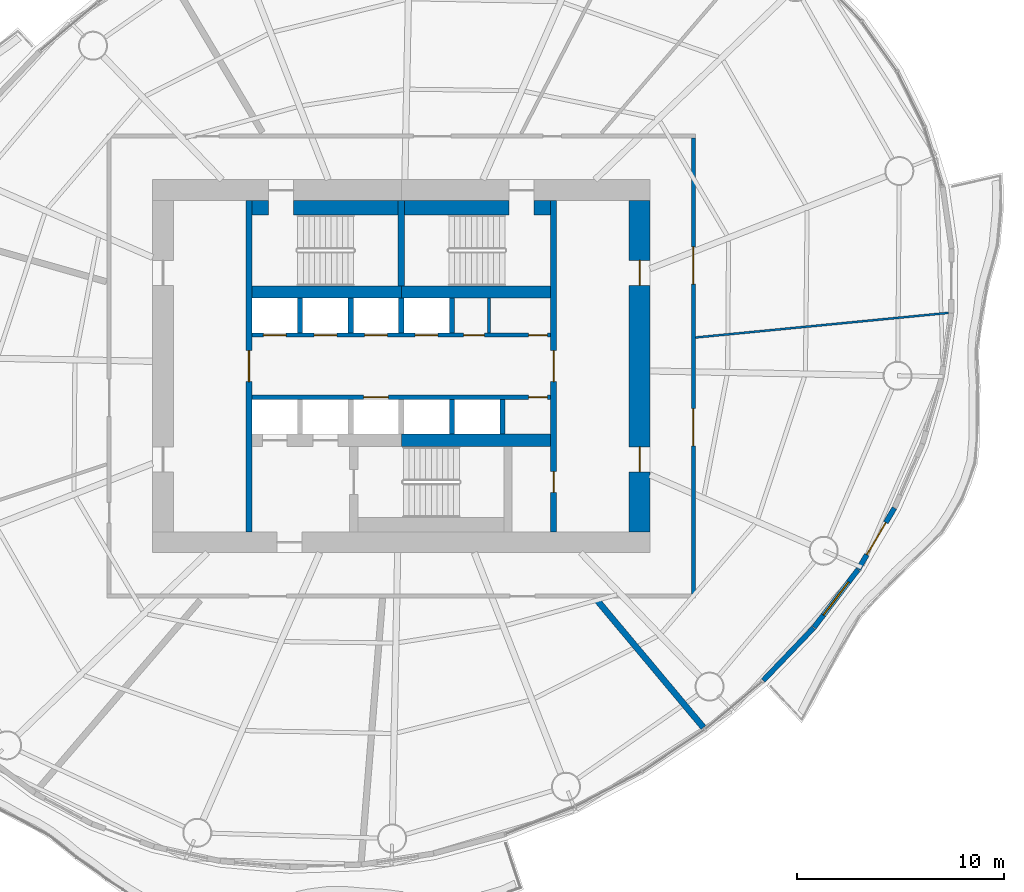
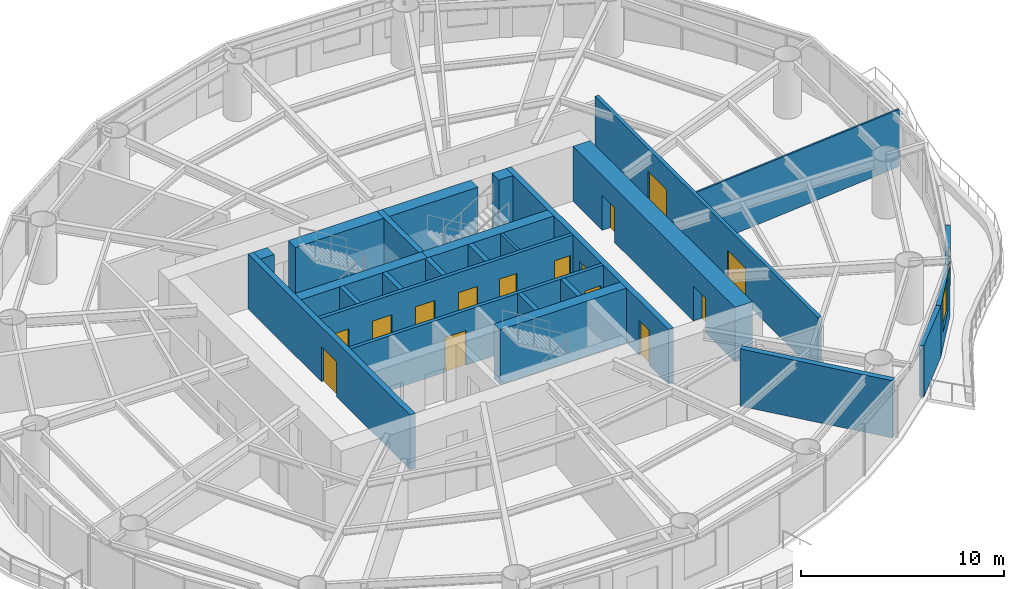
# One storey, part 9 of 14: 26 walls, 16 doors, 1 window, 17 openings.
"""IFC4 building model written with IfcOpenShell, lengths in metres."""

import ifcopenshell
import ifcopenshell.guid

model = None  # the IFC model being written
_history = None  # IfcOwnerHistory: only IFC2X3 demands one
_inside = {}  # id of a spatial element -> (the spatial element, [elements in it])
_under = {}  # id of a project, library or spatial element -> (it, [spatial elements below it])
_declared = {}  # id of a project -> (the project, [libraries it declares])
_typed = {}  # id of a type object -> (the type object, [elements of that type])
_made_of = {}  # id of a material, layer set ... -> (it, [elements and type objects made of it])


def new_model(schema):
    """Start an empty IFC model of exactly this schema.

    Asked for "IFC4X3", IfcOpenShell would pick the latest addendum, in which some entities
    have other attributes; the version numbers below select the first issue.
    IFC2X3 requires an IfcOwnerHistory on every rooted entity: one is made here for all.
    """
    global model, _history
    if schema == "IFC4X3":
        model = ifcopenshell.file(schema_version=(4, 3, 0, 0))
    else:
        model = ifcopenshell.file(schema=schema)
    _inside.clear()
    _under.clear()
    _declared.clear()
    _typed.clear()
    _made_of.clear()
    _history = None
    if model.schema == "IFC2X3":
        org = make("IfcOrganization", Name="unknown")
        user = make(
            "IfcPersonAndOrganization",
            ThePerson=make("IfcPerson", FamilyName="unknown"),
            TheOrganization=org,
        )
        app = make(
            "IfcApplication",
            ApplicationDeveloper=org,
            Version="unknown",
            ApplicationFullName="unknown",
            ApplicationIdentifier="unknown",
        )
        _history = make(
            "IfcOwnerHistory",
            OwningUser=user,
            OwningApplication=app,
            ChangeAction="ADDED",
            CreationDate=0,
        )
    return model


def make(cls, **values):
    """One entity of the class cls with the attributes given. An attribute that is None is left unset."""
    return model.create_entity(
        cls, **{name: value for name, value in values.items() if value is not None}
    )


def rooted(cls, **values):
    """An entity with a GlobalId (a new one), such as an element, a storey or a relation."""
    return make(cls, GlobalId=ifcopenshell.guid.new(), OwnerHistory=_history, **values)


def si_unit(unit_type, name, prefix=None):
    """IfcSIUnit, for example si_unit("LENGTHUNIT", "METRE", prefix="MILLI")."""
    return make("IfcSIUnit", UnitType=unit_type, Prefix=prefix, Name=name)


def assignment(units):
    """IfcUnitAssignment: the units of a project."""
    return None if units is None else make("IfcUnitAssignment", Units=units)


def point(xyz):
    """IfcCartesianPoint."""
    return None if xyz is None else make("IfcCartesianPoint", Coordinates=xyz)


def direction(xyz):
    """IfcDirection."""
    return None if xyz is None else make("IfcDirection", DirectionRatios=xyz)


def frame(location, z_axis=None, x_axis=None):
    """IfcAxis2Placement3D, a coordinate frame: its origin and axes. An axis left out is left unset."""
    return make(
        "IfcAxis2Placement3D",
        Location=point(location),
        Axis=direction(z_axis),
        RefDirection=direction(x_axis),
    )


def frame_2d(location, x_axis=None):
    """IfcAxis2Placement2D, a coordinate frame in the plane: its origin and x axis."""
    return make(
        "IfcAxis2Placement2D", Location=point(location), RefDirection=direction(x_axis)
    )


def origin():
    """The frame at (0, 0, 0) with its axes left unset."""
    return frame((0.0, 0.0, 0.0))


def place(relative_to, where):
    """IfcLocalPlacement: puts the frame where relative to a parent placement (None: the world)."""
    return make(
        "IfcLocalPlacement", PlacementRelTo=relative_to, RelativePlacement=where
    )


def context(
    kind, dimensions, precision=None, world=None, true_north=None, identifier=None
):
    """IfcGeometricRepresentationContext, for example the 3D "Model" context."""
    return make(
        "IfcGeometricRepresentationContext",
        ContextIdentifier=identifier,
        ContextType=kind,
        CoordinateSpaceDimension=dimensions,
        Precision=precision,
        WorldCoordinateSystem=world,
        TrueNorth=true_north,
    )


def subcontext(parent, identifier, kind, view, scale=None):
    """IfcGeometricRepresentationSubContext, for example "Body" below "Model"."""
    return make(
        "IfcGeometricRepresentationSubContext",
        ContextIdentifier=identifier,
        ContextType=kind,
        ParentContext=parent,
        TargetScale=scale,
        TargetView=view,
    )


def project(units=None, contexts=None):
    """IfcProject with its units and contexts."""
    return rooted(
        "IfcProject",
        Name="project",
        RepresentationContexts=contexts,
        UnitsInContext=assignment(units),
    )


def spatial(cls, under=None, at=None, **own):
    """A site, building, storey or space (cls), placed at a placement, below another one or the project."""
    s = rooted(cls, ObjectPlacement=at, **own)
    if under is not None:
        _under.setdefault(under.id(), (under, []))[1].append(s)
    return s


def profile(cls, at=None, kind="AREA", **sizes):
    """A parametric profile (cls). Its sizes go by their IFC names, for example OverallWidth=200.0."""
    return make(cls, ProfileType=kind, Position=at, **sizes)


def rectangle(**sizes):
    """IfcRectangleProfileDef."""
    return profile("IfcRectangleProfileDef", **sizes)


def extrude(swept, where, along, depth):
    """IfcExtrudedAreaSolid: the profile swept, set in the frame where, extruded along a direction by depth."""
    return make(
        "IfcExtrudedAreaSolid",
        SweptArea=swept,
        Position=where,
        ExtrudedDirection=direction(along),
        Depth=depth,
    )


def shape(context_of_items, identifier, shape_type, items):
    """IfcShapeRepresentation: the items that make up one representation, for example the "Body"."""
    return make(
        "IfcShapeRepresentation",
        ContextOfItems=context_of_items,
        RepresentationIdentifier=identifier,
        RepresentationType=shape_type,
        Items=items,
    )


def material(Name=None, Category=None):
    """IfcMaterial."""
    return make("IfcMaterial", Name=Name, Category=Category)


def layer(
    of_material, thickness, ventilated=None, Name=None, Category=None, Priority=None
):
    """IfcMaterialLayer: one layer of a wall or slab, of a material (None: an air gap)."""
    return make(
        "IfcMaterialLayer",
        Material=of_material,
        LayerThickness=thickness,
        IsVentilated=ventilated,
        Name=Name,
        Category=Category,
        Priority=Priority,
    )


def layer_set(layers, Name=None):
    """IfcMaterialLayerSet."""
    return make("IfcMaterialLayerSet", MaterialLayers=layers, LayerSetName=Name)


def made_of(thing, what):
    """Note that an element or type object is made of a material, layer set ...; save() writes the relation."""
    if what is not None:
        _made_of.setdefault(what.id(), (what, []))[1].append(thing)
    return thing


def type_object(cls, material=None, **own):
    """A type object (cls), such as IfcWallType, which elements share."""
    return made_of(rooted(cls, **own), material)


def element(
    cls,
    number,
    at=None,
    inside=None,
    cuts=None,
    type_object=None,
    material=None,
    context=None,
    identifier="Body",
    shape_type=None,
    held_by="IfcProductDefinitionShape",
    body=None,
    shapes=None,
    **own,
):
    """One element of the class cls, such as IfcWall. Its Tag is "e" and its number.

    at: its placement. inside: the storey or other place that contains it. cuts: it is an
    opening in that element (IfcRelVoidsElement). A single representation is given by context,
    identifier, shape_type and body (its items); several are given by shapes. held_by: the class
    of the entity that holds the representations. save() writes the other relations.
    """
    e = rooted(cls, Tag="e%d" % number, ObjectPlacement=at, **own)
    if body is not None:
        shapes = [shape(context, identifier, shape_type, body)]
    if shapes is not None:
        e.Representation = make(held_by, Representations=shapes)
    if inside is not None:
        _inside.setdefault(inside.id(), (inside, []))[1].append(e)
    if cuts is not None:
        rooted(
            "IfcRelVoidsElement", RelatingBuildingElement=cuts, RelatedOpeningElement=e
        )
    if type_object is not None:
        _typed.setdefault(type_object.id(), (type_object, []))[1].append(e)
    return made_of(e, material)


def fill(opening, filler):
    """IfcRelFillsElement: the door or window that sits in an opening."""
    return rooted(
        "IfcRelFillsElement",
        RelatingOpeningElement=opening,
        RelatedBuildingElement=filler,
    )


def aggregate(whole, parts):
    """IfcRelAggregates: a whole, such as a stair, and the parts it consists of."""
    return rooted("IfcRelAggregates", RelatingObject=whole, RelatedObjects=parts)


def save(model, path):
    """Write the relations noted so far, then the file.

    IfcRelAggregates (storeys below a building ...), IfcRelContainedInSpatialStructure (elements
    in a storey), IfcRelDefinesByType, IfcRelAssociatesMaterial and IfcRelDeclares: one each for
    every whole, place, type object, material and project.
    """
    for whole, parts in _under.values():
        aggregate(whole, parts)
    for where, things in _inside.values():
        rooted(
            "IfcRelContainedInSpatialStructure",
            RelatedElements=things,
            RelatingStructure=where,
        )
    for kind, things in _typed.values():
        rooted("IfcRelDefinesByType", RelatedObjects=things, RelatingType=kind)
    for what, things in _made_of.values():
        rooted("IfcRelAssociatesMaterial", RelatedObjects=things, RelatingMaterial=what)
    for by, libraries in _declared.values():
        rooted("IfcRelDeclares", RelatingContext=by, RelatedDefinitions=libraries)
    model.write(path)


model = new_model("IFC4")

# Units and contexts
model_context = context("Model", 3, precision=1e-05, world=origin(), true_north=direction((0.0, 1.0)))
body_context = subcontext(model_context, "Body", "Model", "MODEL_VIEW")
ifc_project = project(units=[si_unit("LENGTHUNIT", "METRE"), si_unit("AREAUNIT", "SQUARE_METRE"), si_unit("VOLUMEUNIT", "CUBIC_METRE"), si_unit("PLANEANGLEUNIT", "RADIAN"), si_unit("MASSUNIT", "GRAM", prefix="KILO")], contexts=[model_context])

# Site, building, storey
site_placement = place(None, origin())
site = spatial("IfcSite", under=ifc_project, at=site_placement, CompositionType="ELEMENT")
building_placement = place(site_placement, origin())
building = spatial("IfcBuilding", under=site, at=building_placement, Name="Vermilion Reach Broadcast Tower", CompositionType="ELEMENT")
storey_placement = place(building_placement, frame((0.0, 0.0, 157.800048828125)))
storey = spatial("IfcBuildingStorey", under=building, at=storey_placement, Name="L37", CompositionType="ELEMENT", Elevation=157.800048828125)

# Wall, opening, door
ifc_material_1 = material(Name="Concrete C70", Category="concrete")
ifc_layer_1 = layer(ifc_material_1, 0.300048828125)
ifc_layer_set_1 = layer_set([ifc_layer_1], Name="Core inner wall 300 mm Concrete C70")
wall_type_1 = type_object("IfcWallType", Name="Core inner wall 300 mm Concrete C70", PredefinedType="SHEAR", material=ifc_layer_set_1)
wall_1_placement = place(storey_placement, frame((-13.35009765625, 8.0, 0.0), z_axis=(0.0, 0.0, 1.0), x_axis=(0.0, -1.0, 0.0)))
wall_1 = element("IfcWall", 1, at=wall_1_placement, inside=storey, type_object=wall_type_1, Name="L37 core wall ewW", PredefinedType="SHEAR", context=body_context, shape_type="SweptSolid", body=[
    extrude(rectangle(XDim=16.0, YDim=0.300048828125, at=frame_2d((8.0, 0.0))), origin(), (0.0, 0.0, 1.0), 3.300048828125),
])
opening_1_placement = place(wall_1_placement, frame((7.25, 0.0, 0.0)))
opening_1 = element("IfcOpeningElement", 2, at=opening_1_placement, cuts=wall_1, Name="Opening D04", PredefinedType="OPENING", context=body_context, shape_type="SweptSolid", body=[
    extrude(rectangle(XDim=1.5, YDim=2.10009765625, at=frame_2d((0.75, 1.050048828125))), frame((0.0, 0.159912109375, 0.0), z_axis=(0.0, -1.0, 0.0), x_axis=(1.0, 0.0, 0.0)), (0.0, 0.0, 1.0), 0.320068359375),
])
ifc_material_2 = material(Name="Painted steel fire door", Category="steel")
door_type_1 = type_object("IfcDoorType", Name="Lift lobby door 1500 x 2100", OperationType="DOUBLE_DOOR_SINGLE_SWING", PredefinedType="NOTDEFINED", material=ifc_material_2)
door_1_placement = place(opening_1_placement, origin())
door_1 = element("IfcDoor", 3, at=door_1_placement, inside=storey, type_object=door_type_1, Name="L37 band door BW", OperationType="DOUBLE_DOOR_SINGLE_SWING", OverallHeight=2.10009765625, OverallWidth=1.5, PredefinedType="NOTDEFINED", context=body_context, shape_type="SweptSolid", body=[
    extrude(rectangle(XDim=1.5, YDim=2.10009765625, at=frame_2d((0.75, 1.050048828125))), frame((0.0, 0.02490234375, 0.0), z_axis=(0.0, -1.0, 0.0), x_axis=(1.0, 0.0, 0.0)), (0.0, 0.0, 1.0), 0.050048828125),
])
fill(opening_1, door_1)

# Wall, openings, doors
wall_2_placement = place(storey_placement, frame((1.35009765625, -8.0, 0.0), z_axis=(0.0, 0.0, 1.0), x_axis=(0.0, 1.0, 0.0)))
wall_2 = element("IfcWall", 4, at=wall_2_placement, inside=storey, type_object=wall_type_1, Name="L37 core wall ewE", PredefinedType="SHEAR", context=body_context, shape_type="SweptSolid", body=[
    extrude(rectangle(XDim=16.0, YDim=0.300048828125, at=frame_2d((8.0, 0.0))), origin(), (0.0, 0.0, 1.0), 3.300048828125),
])
opening_2_placement = place(wall_2_placement, frame((1.909912109375, 0.0, 0.0)))
opening_2 = element("IfcOpeningElement", 5, at=opening_2_placement, cuts=wall_2, Name="Opening D05", PredefinedType="OPENING", context=body_context, shape_type="SweptSolid", body=[
    extrude(rectangle(XDim=1.0, YDim=2.10009765625, at=frame_2d((0.5, 1.050048828125))), frame((0.0, 0.159912109375, 0.0), z_axis=(0.0, -1.0, 0.0), x_axis=(1.0, 0.0, 0.0)), (0.0, 0.0, 1.0), 0.320068359375),
])
opening_3_placement = place(wall_2_placement, frame((7.25, 0.0, 0.0)))
opening_3 = element("IfcOpeningElement", 6, at=opening_3_placement, cuts=wall_2, Name="Opening D04", PredefinedType="OPENING", context=body_context, shape_type="SweptSolid", body=[
    extrude(rectangle(XDim=1.5, YDim=2.10009765625, at=frame_2d((0.75, 1.050048828125))), frame((0.0, 0.159912109375, 0.0), z_axis=(0.0, -1.0, 0.0), x_axis=(1.0, 0.0, 0.0)), (0.0, 0.0, 1.0), 0.320068359375),
])
door_2_placement = place(opening_3_placement, origin())
door_2 = element("IfcDoor", 7, at=door_2_placement, inside=storey, type_object=door_type_1, Name="L37 band door BE", OperationType="DOUBLE_DOOR_SINGLE_SWING", OverallHeight=2.10009765625, OverallWidth=1.5, PredefinedType="NOTDEFINED", context=body_context, shape_type="SweptSolid", body=[
    extrude(rectangle(XDim=1.5, YDim=2.10009765625, at=frame_2d((0.75, 1.050048828125))), frame((0.0, 0.02490234375, 0.0), z_axis=(0.0, -1.0, 0.0), x_axis=(1.0, 0.0, 0.0)), (0.0, 0.0, 1.0), 0.050048828125),
])
fill(opening_3, door_2)
ifc_material_3 = material(Name="Timber door", Category="wood")
door_type_2 = type_object("IfcDoorType", Name="Room door 1000 x 2100", OperationType="NOTDEFINED", PredefinedType="NOTDEFINED", material=ifc_material_3)
door_3_placement = place(opening_2_placement, origin())
door_3 = element("IfcDoor", 8, at=door_3_placement, inside=storey, type_object=door_type_2, Name="L37 door SER", OperationType="SINGLE_SWING_LEFT", OverallHeight=2.10009765625, OverallWidth=1.0, PredefinedType="NOTDEFINED", context=body_context, shape_type="SweptSolid", body=[
    extrude(rectangle(XDim=1.0, YDim=2.10009765625, at=frame_2d((0.5, 1.050048828125))), frame((0.0, 0.02490234375, 0.0), z_axis=(0.0, -1.0, 0.0), x_axis=(1.0, 0.0, 0.0)), (0.0, 0.0, 1.0), 0.050048828125),
])
fill(opening_2, door_3)

# Walls
wall_3_placement = place(storey_placement, frame((-6.0, 3.8798828125, 0.0), z_axis=(0.0, 0.0, 1.0), x_axis=(0.0, 1.0, 0.0)))
element("IfcWall", 9, at=wall_3_placement, inside=storey, type_object=wall_type_1, Name="L37 core wall wc", PredefinedType="SHEAR", context=body_context, shape_type="SweptSolid", body=[
    extrude(rectangle(XDim=4.1201171875, YDim=0.300048828125, at=frame_2d((2.06005859375, 0.0))), origin(), (0.0, 0.0, 1.0), 3.300048828125),
])
ifc_material_4 = material(Name="Concrete C70", Category="concrete")
ifc_layer_2 = layer(ifc_material_4, 0.60009765625)
ifc_layer_set_2 = layer_set([ifc_layer_2], Name="Core inner wall 600 mm Concrete C70")
wall_type_2 = type_object("IfcWallType", Name="Core inner wall 600 mm Concrete C70", PredefinedType="SHEAR", material=ifc_layer_set_2)
for number, where, z_axis, x_axis, name in (
    (10, (-13.199951171875, 3.580078125, 0.0), (0.0, 0.0, 1.0), (1.0, 0.0, 0.0), "L37 core wall winW"),
    (11, (-6.0, 3.580078125, 0.0), (0.0, 0.0, 1.0), (1.0, 0.0, 0.0), "L37 core wall winE"),
    (12, (-6.0, -3.580078125, 0.0), (0.0, 0.0, 1.0), (1.0, 0.0, 0.0), "L37 core wall wisE"),
):
    element("IfcWall", number, at=place(storey_placement, frame(where, z_axis=z_axis, x_axis=x_axis)), inside=storey, type_object=wall_type_2, Name=name, PredefinedType="SHEAR", context=body_context, shape_type="SweptSolid", body=[
        extrude(rectangle(XDim=7.199951171875, YDim=0.60009765625, at=frame_2d((3.60009765625, 0.0))), origin(), (0.0, 0.0, 1.0), 3.300048828125),
    ])

# Wall, openings, doors
ifc_material_5 = material(Name="Concrete C70", Category="concrete")
ifc_layer_3 = layer(ifc_material_5, 1.0)
ifc_layer_set_3 = layer_set([ifc_layer_3], Name="Core outer wall 1000 mm Concrete C70")
wall_type_3 = type_object("IfcWallType", Name="Core outer wall 1000 mm Concrete C70", PredefinedType="SHEAR", material=ifc_layer_set_3)
wall_4_placement = place(storey_placement, frame((5.5, -8.0, 0.0), z_axis=(0.0, 0.0, 1.0), x_axis=(0.0, 1.0, 0.0)))
wall_4 = element("IfcWall", 13, at=wall_4_placement, inside=storey, type_object=wall_type_3, Name="L37 core wall oe", PredefinedType="SHEAR", context=body_context, shape_type="SweptSolid", body=[
    extrude(rectangle(XDim=16.0, YDim=1.0, at=frame_2d((8.0, 0.0))), origin(), (0.0, 0.0, 1.0), 3.300048828125),
])
opening_4_placement = place(wall_4_placement, frame((2.89990234375, 0.0, 0.0)))
opening_4 = element("IfcOpeningElement", 14, at=opening_4_placement, cuts=wall_4, Name="Opening D03", PredefinedType="OPENING", context=body_context, shape_type="SweptSolid", body=[
    extrude(rectangle(XDim=1.199951171875, YDim=2.10009765625, at=frame_2d((0.60009765625, 1.050048828125))), frame((0.0, 0.510009765625, 0.0), z_axis=(0.0, -1.0, 0.0), x_axis=(1.0, 0.0, 0.0)), (0.0, 0.0, 1.0), 1.02001953125),
])
opening_5_placement = place(wall_4_placement, frame((11.89990234375, 0.0, 0.0)))
opening_5 = element("IfcOpeningElement", 15, at=opening_5_placement, cuts=wall_4, Name="Opening D03", PredefinedType="OPENING", context=body_context, shape_type="SweptSolid", body=[
    extrude(rectangle(XDim=1.199951171875, YDim=2.10009765625, at=frame_2d((0.60009765625, 1.050048828125))), frame((0.0, 0.510009765625, 0.0), z_axis=(0.0, -1.0, 0.0), x_axis=(1.0, 0.0, 0.0)), (0.0, 0.0, 1.0), 1.02001953125),
])
ifc_material_6 = material(Name="Painted steel fire door", Category="steel")
door_type_3 = type_object("IfcDoorType", Name="Core lobby door 1200 x 2100", OperationType="DOUBLE_DOOR_SINGLE_SWING", PredefinedType="NOTDEFINED", material=ifc_material_6)
door_4_placement = place(opening_4_placement, origin())
door_4 = element("IfcDoor", 16, at=door_4_placement, inside=storey, type_object=door_type_3, Name="L37 slot door E0", OperationType="DOUBLE_DOOR_SINGLE_SWING", OverallHeight=2.10009765625, OverallWidth=1.199951171875, PredefinedType="NOTDEFINED", context=body_context, shape_type="SweptSolid", body=[
    extrude(rectangle(XDim=1.199951171875, YDim=2.10009765625, at=frame_2d((0.60009765625, 1.050048828125))), frame((0.0, 0.02490234375, 0.0), z_axis=(0.0, -1.0, 0.0), x_axis=(1.0, 0.0, 0.0)), (0.0, 0.0, 1.0), 0.050048828125),
])
fill(opening_4, door_4)
door_5_placement = place(opening_5_placement, origin())
door_5 = element("IfcDoor", 17, at=door_5_placement, inside=storey, type_object=door_type_3, Name="L37 slot door E1", OperationType="DOUBLE_DOOR_SINGLE_SWING", OverallHeight=2.10009765625, OverallWidth=1.199951171875, PredefinedType="NOTDEFINED", context=body_context, shape_type="SweptSolid", body=[
    extrude(rectangle(XDim=1.199951171875, YDim=2.10009765625, at=frame_2d((0.60009765625, 1.050048828125))), frame((0.0, 0.02490234375, 0.0), z_axis=(0.0, -1.0, 0.0), x_axis=(1.0, 0.0, 0.0)), (0.0, 0.0, 1.0), 0.050048828125),
])
fill(opening_5, door_5)

# Wall
ifc_material_7 = material(Name="Masonry block", Category="masonry")
ifc_layer_4 = layer(ifc_material_7, 0.14990234375)
ifc_layer_set_4 = layer_set([ifc_layer_4], Name="Core partition wall 150 mm Masonry block")
wall_type_4 = type_object("IfcWallType", Name="Core partition wall 150 mm Masonry block", PredefinedType="PARTITIONING", material=ifc_layer_set_4)
wall_5_placement = place(storey_placement, frame((-1.765380859375, 1.60009765625, 0.0), z_axis=(0.0, 0.0, 1.0), x_axis=(0.0, 1.0, 0.0)))
element("IfcWall", 18, at=wall_5_placement, inside=storey, type_object=wall_type_4, Name="L37 core wall prN4235", PredefinedType="PARTITIONING", context=body_context, shape_type="SweptSolid", body=[
    extrude(rectangle(XDim=1.679931640625, YDim=0.14990234375, at=frame_2d((0.83984375, 0.0))), origin(), (0.0, 0.0, 1.0), 3.300048828125),
])

# Wall, openings, doors
ifc_material_8 = material(Name="Concrete C50", Category="concrete")
ifc_layer_5 = layer(ifc_material_8, 0.199951171875)
ifc_layer_set_5 = layer_set([ifc_layer_5], Name="Core shaft wall 200 mm Concrete C50")
wall_type_5 = type_object("IfcWallType", Name="Core shaft wall 200 mm Concrete C50", PredefinedType="SHEAR", material=ifc_layer_set_5)
wall_6_placement = place(storey_placement, frame((-13.199951171875, 1.5, 0.0), z_axis=(0.0, 0.0, 1.0), x_axis=(1.0, 0.0, 0.0)))
wall_6 = element("IfcWall", 19, at=wall_6_placement, inside=storey, type_object=wall_type_5, Name="L37 core wall fn", PredefinedType="SHEAR", context=body_context, shape_type="SweptSolid", body=[
    extrude(rectangle(XDim=14.39990234375, YDim=0.199951171875, at=frame_2d((7.199951171875, 0.0))), origin(), (0.0, 0.0, 1.0), 3.300048828125),
])
opening_6_placement = place(wall_6_placement, frame((0.5458984375, 0.0, 0.0)))
opening_6 = element("IfcOpeningElement", 20, at=opening_6_placement, cuts=wall_6, Name="Opening LD2", PredefinedType="OPENING", context=body_context, shape_type="SweptSolid", body=[
    extrude(rectangle(XDim=1.10009765625, YDim=2.10009765625, at=frame_2d((0.550048828125, 1.050048828125))), frame((0.0, 0.10986328125, 0.0), z_axis=(0.0, -1.0, 0.0), x_axis=(1.0, 0.0, 0.0)), (0.0, 0.0, 1.0), 0.219970703125),
])
opening_7_placement = place(wall_6_placement, frame((2.987548828125, 0.0, 0.0)))
opening_7 = element("IfcOpeningElement", 21, at=opening_7_placement, cuts=wall_6, Name="Opening LD2", PredefinedType="OPENING", context=body_context, shape_type="SweptSolid", body=[
    extrude(rectangle(XDim=1.10009765625, YDim=2.10009765625, at=frame_2d((0.550048828125, 1.050048828125))), frame((0.0, 0.10986328125, 0.0), z_axis=(0.0, -1.0, 0.0), x_axis=(1.0, 0.0, 0.0)), (0.0, 0.0, 1.0), 0.219970703125),
])
opening_8_placement = place(wall_6_placement, frame((5.42919921875, 0.0, 0.0)))
opening_8 = element("IfcOpeningElement", 22, at=opening_8_placement, cuts=wall_6, Name="Opening LD2", PredefinedType="OPENING", context=body_context, shape_type="SweptSolid", body=[
    extrude(rectangle(XDim=1.10009765625, YDim=2.10009765625, at=frame_2d((0.550048828125, 1.050048828125))), frame((0.0, 0.10986328125, 0.0), z_axis=(0.0, -1.0, 0.0), x_axis=(1.0, 0.0, 0.0)), (0.0, 0.0, 1.0), 0.219970703125),
])
opening_9_placement = place(wall_6_placement, frame((7.870849609375, 0.0, 0.0)))
opening_9 = element("IfcOpeningElement", 23, at=opening_9_placement, cuts=wall_6, Name="Opening LD2", PredefinedType="OPENING", context=body_context, shape_type="SweptSolid", body=[
    extrude(rectangle(XDim=1.10009765625, YDim=2.10009765625, at=frame_2d((0.550048828125, 1.050048828125))), frame((0.0, 0.10986328125, 0.0), z_axis=(0.0, -1.0, 0.0), x_axis=(1.0, 0.0, 0.0)), (0.0, 0.0, 1.0), 0.219970703125),
])
opening_10_placement = place(wall_6_placement, frame((10.209716796875, 0.0, 0.0)))
opening_10 = element("IfcOpeningElement", 24, at=opening_10_placement, cuts=wall_6, Name="Opening D07", PredefinedType="OPENING", context=body_context, shape_type="SweptSolid", body=[
    extrude(rectangle(XDim=1.0, YDim=2.10009765625, at=frame_2d((0.5, 1.050048828125))), frame((0.0, 0.10986328125, 0.0), z_axis=(0.0, -1.0, 0.0), x_axis=(1.0, 0.0, 0.0)), (0.0, 0.0, 1.0), 0.219970703125),
])
opening_11_placement = place(wall_6_placement, frame((13.35009765625, 0.0, 0.0)))
opening_11 = element("IfcOpeningElement", 25, at=opening_11_placement, cuts=wall_6, Name="Opening D06", PredefinedType="OPENING", context=body_context, shape_type="SweptSolid", body=[
    extrude(rectangle(XDim=0.89990234375, YDim=2.10009765625, at=frame_2d((0.449951171875, 1.050048828125))), frame((0.0, 0.10986328125, 0.0), z_axis=(0.0, -1.0, 0.0), x_axis=(1.0, 0.0, 0.0)), (0.0, 0.0, 1.0), 0.219970703125),
])
ifc_material_9 = material(Name="Timber door", Category="wood")
door_type_4 = type_object("IfcDoorType", Name="Accessible WC door 1000 x 2100", OperationType="NOTDEFINED", PredefinedType="NOTDEFINED", material=ifc_material_9)
door_6_placement = place(opening_10_placement, origin())
door_6 = element("IfcDoor", 26, at=door_6_placement, inside=storey, type_object=door_type_4, Name="L37 door Accessible WC", OperationType="SINGLE_SWING_RIGHT", OverallHeight=2.10009765625, OverallWidth=1.0, PredefinedType="NOTDEFINED", context=body_context, shape_type="SweptSolid", body=[
    extrude(rectangle(XDim=1.0, YDim=2.10009765625, at=frame_2d((0.5, 1.050048828125))), frame((0.0, 0.02490234375, 0.0), z_axis=(0.0, -1.0, 0.0), x_axis=(1.0, 0.0, 0.0)), (0.0, 0.0, 1.0), 0.050048828125),
])
fill(opening_10, door_6)
ifc_material_10 = material(Name="Stainless steel", Category="steel")
door_type_5 = type_object("IfcDoorType", Name="Landing door 1100 x 2100", OperationType="DOUBLE_DOOR_SLIDING", PredefinedType="NOTDEFINED", material=ifc_material_10)
door_7_placement = place(opening_6_placement, origin())
door_7 = element("IfcDoor", 27, at=door_7_placement, inside=storey, type_object=door_type_5, Name="L37 landing door LR1", OperationType="DOUBLE_DOOR_SLIDING", OverallHeight=2.10009765625, OverallWidth=1.10009765625, PredefinedType="NOTDEFINED", context=body_context, shape_type="SweptSolid", body=[
    extrude(rectangle(XDim=1.10009765625, YDim=2.10009765625, at=frame_2d((0.550048828125, 1.050048828125))), frame((0.0, 0.02490234375, 0.0), z_axis=(0.0, -1.0, 0.0), x_axis=(1.0, 0.0, 0.0)), (0.0, 0.0, 1.0), 0.050048828125),
])
fill(opening_6, door_7)
door_8_placement = place(opening_7_placement, origin())
door_8 = element("IfcDoor", 28, at=door_8_placement, inside=storey, type_object=door_type_5, Name="L37 landing door LR2", OperationType="DOUBLE_DOOR_SLIDING", OverallHeight=2.10009765625, OverallWidth=1.10009765625, PredefinedType="NOTDEFINED", context=body_context, shape_type="SweptSolid", body=[
    extrude(rectangle(XDim=1.10009765625, YDim=2.10009765625, at=frame_2d((0.550048828125, 1.050048828125))), frame((0.0, 0.02490234375, 0.0), z_axis=(0.0, -1.0, 0.0), x_axis=(1.0, 0.0, 0.0)), (0.0, 0.0, 1.0), 0.050048828125),
])
fill(opening_7, door_8)
door_9_placement = place(opening_8_placement, origin())
door_9 = element("IfcDoor", 29, at=door_9_placement, inside=storey, type_object=door_type_5, Name="L37 landing door LR3", OperationType="DOUBLE_DOOR_SLIDING", OverallHeight=2.10009765625, OverallWidth=1.10009765625, PredefinedType="NOTDEFINED", context=body_context, shape_type="SweptSolid", body=[
    extrude(rectangle(XDim=1.10009765625, YDim=2.10009765625, at=frame_2d((0.550048828125, 1.050048828125))), frame((0.0, 0.02490234375, 0.0), z_axis=(0.0, -1.0, 0.0), x_axis=(1.0, 0.0, 0.0)), (0.0, 0.0, 1.0), 0.050048828125),
])
fill(opening_8, door_9)
door_10_placement = place(opening_9_placement, origin())
door_10 = element("IfcDoor", 30, at=door_10_placement, inside=storey, type_object=door_type_5, Name="L37 landing door LR4", OperationType="DOUBLE_DOOR_SLIDING", OverallHeight=2.10009765625, OverallWidth=1.10009765625, PredefinedType="NOTDEFINED", context=body_context, shape_type="SweptSolid", body=[
    extrude(rectangle(XDim=1.10009765625, YDim=2.10009765625, at=frame_2d((0.550048828125, 1.050048828125))), frame((0.0, 0.02490234375, 0.0), z_axis=(0.0, -1.0, 0.0), x_axis=(1.0, 0.0, 0.0)), (0.0, 0.0, 1.0), 0.050048828125),
])
fill(opening_9, door_10)
ifc_material_11 = material(Name="Timber door", Category="wood")
door_type_6 = type_object("IfcDoorType", Name="WC door 900 x 2100", OperationType="NOTDEFINED", PredefinedType="NOTDEFINED", material=ifc_material_11)
door_11_placement = place(opening_11_placement, origin())
door_11 = element("IfcDoor", 31, at=door_11_placement, inside=storey, type_object=door_type_6, Name="L37 door Female WC", OperationType="SINGLE_SWING_RIGHT", OverallHeight=2.10009765625, OverallWidth=0.89990234375, PredefinedType="NOTDEFINED", context=body_context, shape_type="SweptSolid", body=[
    extrude(rectangle(XDim=0.89990234375, YDim=2.10009765625, at=frame_2d((0.449951171875, 1.050048828125))), frame((0.0, 0.02490234375, 0.0), z_axis=(0.0, -1.0, 0.0), x_axis=(1.0, 0.0, 0.0)), (0.0, 0.0, 1.0), 0.050048828125),
])
fill(opening_11, door_11)

wall_7_placement = place(storey_placement, frame((1.199951171875, -1.5, 0.0), z_axis=(0.0, 0.0, 1.0), x_axis=(-1.0, 0.0, 0.0)))
wall_7 = element("IfcWall", 32, at=wall_7_placement, inside=storey, type_object=wall_type_5, Name="L37 core wall fs", PredefinedType="SHEAR", context=body_context, shape_type="SweptSolid", body=[
    extrude(rectangle(XDim=14.39990234375, YDim=0.199951171875, at=frame_2d((7.199951171875, 0.0))), origin(), (0.0, 0.0, 1.0), 3.300048828125),
])
opening_12_placement = place(wall_7_placement, frame((7.82080078125, 0.0, 0.0)))
opening_12 = element("IfcOpeningElement", 33, at=opening_12_placement, cuts=wall_7, Name="Opening LD1", PredefinedType="OPENING", context=body_context, shape_type="SweptSolid", body=[
    extrude(rectangle(XDim=1.199951171875, YDim=2.10009765625, at=frame_2d((0.60009765625, 1.050048828125))), frame((0.0, 0.10986328125, 0.0), z_axis=(0.0, -1.0, 0.0), x_axis=(1.0, 0.0, 0.0)), (0.0, 0.0, 1.0), 0.219970703125),
])
opening_13_placement = place(wall_7_placement, frame((0.14990234375, 0.0, 0.0)))
opening_13 = element("IfcOpeningElement", 34, at=opening_13_placement, cuts=wall_7, Name="Opening D06", PredefinedType="OPENING", context=body_context, shape_type="SweptSolid", body=[
    extrude(rectangle(XDim=0.89990234375, YDim=2.10009765625, at=frame_2d((0.449951171875, 1.050048828125))), frame((0.0, 0.10986328125, 0.0), z_axis=(0.0, -1.0, 0.0), x_axis=(1.0, 0.0, 0.0)), (0.0, 0.0, 1.0), 0.219970703125),
])
ifc_material_12 = material(Name="Stainless steel", Category="steel")
door_type_7 = type_object("IfcDoorType", Name="Landing door 1200 x 2100", OperationType="DOUBLE_DOOR_SLIDING", PredefinedType="NOTDEFINED", material=ifc_material_12)
door_12_placement = place(opening_12_placement, origin())
door_12 = element("IfcDoor", 35, at=door_12_placement, inside=storey, type_object=door_type_7, Name="L37 landing door SV1", OperationType="DOUBLE_DOOR_SLIDING", OverallHeight=2.10009765625, OverallWidth=1.199951171875, PredefinedType="NOTDEFINED", context=body_context, shape_type="SweptSolid", body=[
    extrude(rectangle(XDim=1.199951171875, YDim=2.10009765625, at=frame_2d((0.60009765625, 1.050048828125))), frame((0.0, 0.02490234375, 0.0), z_axis=(0.0, -1.0, 0.0), x_axis=(1.0, 0.0, 0.0)), (0.0, 0.0, 1.0), 0.050048828125),
])
fill(opening_12, door_12)
door_13_placement = place(opening_13_placement, origin())
door_13 = element("IfcDoor", 36, at=door_13_placement, inside=storey, type_object=door_type_6, Name="L37 door Male WC", OperationType="SINGLE_SWING_LEFT", OverallHeight=2.10009765625, OverallWidth=0.89990234375, PredefinedType="NOTDEFINED", context=body_context, shape_type="SweptSolid", body=[
    extrude(rectangle(XDim=0.89990234375, YDim=2.10009765625, at=frame_2d((0.449951171875, 1.050048828125))), frame((0.0, 0.02490234375, 0.0), z_axis=(0.0, -1.0, 0.0), x_axis=(1.0, 0.0, 0.0)), (0.0, 0.0, 1.0), 0.050048828125),
])
fill(opening_13, door_13)

# Walls
ifc_material_13 = material(Name="Concrete C50", Category="concrete")
ifc_layer_6 = layer(ifc_material_13, 0.25)
ifc_layer_set_6 = layer_set([ifc_layer_6], Name="Core shaft wall 250 mm Concrete C50")
wall_type_6 = type_object("IfcWallType", Name="Core shaft wall 250 mm Concrete C50", PredefinedType="SHEAR", material=ifc_layer_set_6)
for number, where, z_axis, x_axis, name in (
    (37, (-10.88330078125, 1.60009765625, 0.0), (0.0, 0.0, 1.0), (0.0, 1.0, 0.0), "L37 core wall psN0"),
    (38, (-8.441650390625, 1.60009765625, 0.0), (0.0, 0.0, 1.0), (0.0, 1.0, 0.0), "L37 core wall psN1"),
    (39, (-6.0, 1.60009765625, 0.0), (0.0, 0.0, 1.0), (0.0, 1.0, 0.0), "L37 core wall psN2"),
    (40, (-3.558349609375, 1.60009765625, 0.0), (0.0, 0.0, 1.0), (0.0, 1.0, 0.0), "L37 core wall psN3"),
    (41, (-3.558349609375, -1.60009765625, 0.0), (0.0, 0.0, 1.0), (0.0, -1.0, 0.0), "L37 core wall psS3"),
    (42, (-1.11669921875, -1.60009765625, 0.0), (0.0, 0.0, 1.0), (0.0, -1.0, 0.0), "L37 core wall psS4"),
):
    element("IfcWall", number, at=place(storey_placement, frame(where, z_axis=z_axis, x_axis=x_axis)), inside=storey, type_object=wall_type_6, Name=name, PredefinedType="SHEAR", context=body_context, shape_type="SweptSolid", body=[
        extrude(rectangle(XDim=1.679931640625, YDim=0.25, at=frame_2d((0.83984375, 0.0))), origin(), (0.0, 0.0, 1.0), 3.300048828125),
    ])
ifc_material_14 = material(Name="Concrete C70", Category="concrete")
ifc_layer_7 = layer(ifc_material_14, 0.699951171875)
ifc_layer_set_7 = layer_set([ifc_layer_7], Name="Core stair wall 700 mm Concrete C70")
wall_type_7 = type_object("IfcWallType", Name="Core stair wall 700 mm Concrete C70", PredefinedType="SHEAR", material=ifc_layer_set_7)
wall_8_placement = place(storey_placement, frame((-13.199951171875, 7.64990234375, 0.0), z_axis=(0.0, 0.0, 1.0), x_axis=(1.0, 0.0, 0.0)))
element("IfcWall", 43, at=wall_8_placement, inside=storey, type_object=wall_type_7, Name="L37 core wall l1a", PredefinedType="SHEAR", context=body_context, shape_type="SweptSolid", body=[
    extrude(rectangle(XDim=0.800048828125, YDim=0.699951171875, at=frame_2d((0.39990234375, 0.0))), origin(), (0.0, 0.0, 1.0), 3.300048828125),
])
for number, where, z_axis, x_axis, name in (
    (44, (-11.199951171875, 7.64990234375, 0.0), (0.0, 0.0, 1.0), (1.0, 0.0, 0.0), "L37 core wall l1b"),
    (45, (-5.85009765625, 7.64990234375, 0.0), (0.0, 0.0, 1.0), (1.0, 0.0, 0.0), "L37 core wall l2a"),
):
    element("IfcWall", number, at=place(storey_placement, frame(where, z_axis=z_axis, x_axis=x_axis)), inside=storey, type_object=wall_type_7, Name=name, PredefinedType="SHEAR", context=body_context, shape_type="SweptSolid", body=[
        extrude(rectangle(XDim=5.050048828125, YDim=0.699951171875, at=frame_2d((2.52490234375, 0.0))), origin(), (0.0, 0.0, 1.0), 3.300048828125),
    ])
wall_9_placement = place(storey_placement, frame((0.39990234375, 7.64990234375, 0.0), z_axis=(0.0, 0.0, 1.0), x_axis=(1.0, 0.0, 0.0)))
element("IfcWall", 46, at=wall_9_placement, inside=storey, type_object=wall_type_7, Name="L37 core wall l2b", PredefinedType="SHEAR", context=body_context, shape_type="SweptSolid", body=[
    extrude(rectangle(XDim=0.800048828125, YDim=0.699951171875, at=frame_2d((0.39990234375, 0.0))), origin(), (0.0, 0.0, 1.0), 3.300048828125),
])

# Wall, openings, doors
ifc_material_15 = material(Name="Fire-rated gypsum board partition")
ifc_layer_8 = layer(ifc_material_15, 0.199951171875)
ifc_layer_set_8 = layer_set([ifc_layer_8], Name="Corridor wall 200 fire-rated")
wall_type_8 = type_object("IfcWallType", Name="Corridor wall 200 fire-rated", PredefinedType="PARTITIONING", material=ifc_layer_set_8)
wall_10_placement = place(storey_placement, frame((8.10009765625, 11.0, 0.0), z_axis=(0.0, 0.0, 1.0), x_axis=(0.0, -1.0, 0.0)))
wall_10 = element("IfcWall", 47, at=wall_10_placement, inside=storey, type_object=wall_type_8, Name="Corridor wall 37.E", PredefinedType="PARTITIONING", context=body_context, shape_type="SweptSolid", body=[
    extrude(rectangle(XDim=22.0, YDim=0.199951171875, at=frame_2d((11.0, 0.0))), origin(), (0.0, 0.0, 1.0), 3.449951171875),
])
opening_14_placement = place(wall_10_placement, frame((13.052734375, 0.0, 0.0)))
opening_14 = element("IfcOpeningElement", 48, at=opening_14_placement, cuts=wall_10, Name="Opening D21", PredefinedType="OPENING", context=body_context, shape_type="SweptSolid", body=[
    extrude(rectangle(XDim=1.800048828125, YDim=2.10009765625, at=frame_2d((0.89990234375, 1.050048828125))), frame((0.0, 0.10986328125, 0.0), z_axis=(0.0, -1.0, 0.0), x_axis=(1.0, 0.0, 0.0)), (0.0, 0.0, 1.0), 0.219970703125),
])
opening_15_placement = place(wall_10_placement, frame((5.24267578125, 0.0, 0.0)))
opening_15 = element("IfcOpeningElement", 49, at=opening_15_placement, cuts=wall_10, Name="Opening D21", PredefinedType="OPENING", context=body_context, shape_type="SweptSolid", body=[
    extrude(rectangle(XDim=1.800048828125, YDim=2.10009765625, at=frame_2d((0.89990234375, 1.050048828125))), frame((0.0, 0.10986328125, 0.0), z_axis=(0.0, -1.0, 0.0), x_axis=(1.0, 0.0, 0.0)), (0.0, 0.0, 1.0), 0.219970703125),
])
ifc_material_16 = material(Name="Timber door leaf", Category="wood")
door_type_8 = type_object("IfcDoorType", Name="Door pair 1800x2100", OperationType="NOTDEFINED", PredefinedType="DOOR", material=ifc_material_16)
door_14_placement = place(opening_14_placement, origin())
door_14 = element("IfcDoor", 50, at=door_14_placement, inside=storey, type_object=door_type_8, Name="Door 37.08", OperationType="DOUBLE_DOOR_SINGLE_SWING", OverallHeight=2.10009765625, OverallWidth=1.800048828125, PredefinedType="DOOR", context=body_context, shape_type="SweptSolid", body=[
    extrude(rectangle(XDim=1.800048828125, YDim=2.10009765625, at=frame_2d((0.89990234375, 1.050048828125))), frame((0.0, 0.02490234375, 0.0), z_axis=(0.0, -1.0, 0.0), x_axis=(1.0, 0.0, 0.0)), (0.0, 0.0, 1.0), 0.050048828125),
])
fill(opening_14, door_14)
door_15_placement = place(opening_15_placement, origin())
door_15 = element("IfcDoor", 51, at=door_15_placement, inside=storey, type_object=door_type_8, Name="Door 37.09", OperationType="DOUBLE_DOOR_SINGLE_SWING", OverallHeight=2.10009765625, OverallWidth=1.800048828125, PredefinedType="DOOR", context=body_context, shape_type="SweptSolid", body=[
    extrude(rectangle(XDim=1.800048828125, YDim=2.10009765625, at=frame_2d((0.89990234375, 1.050048828125))), frame((0.0, 0.02490234375, 0.0), z_axis=(0.0, -1.0, 0.0), x_axis=(1.0, 0.0, 0.0)), (0.0, 0.0, 1.0), 0.050048828125),
])
fill(opening_15, door_15)

# Walls
ifc_material_17 = material(Name="Plasterboard on steel stud", Category="steel")
ifc_layer_9 = layer(ifc_material_17, 0.10009765625)
ifc_layer_set_9 = layer_set([ifc_layer_9], Name="Partition 100 steel stud")
wall_type_9 = type_object("IfcWallType", Name="Partition 100 steel stud", PredefinedType="PARTITIONING", material=ifc_layer_set_9)
wall_11_placement = place(storey_placement, frame((20.420166015625, 2.57080078125, 0.0), z_axis=(0.0, 0.0, 1.0), x_axis=(-0.995300294019, -0.096836587746, 0.0)))
element("IfcWall", 52, at=wall_11_placement, inside=storey, type_object=wall_type_9, Name="Partition 37.09", PredefinedType="PARTITIONING", context=body_context, shape_type="SweptSolid", body=[
    extrude(rectangle(XDim=12.27294921875, YDim=0.10009765625, at=frame_2d((6.136474609375, 0.0))), origin(), (0.0, 0.0, 1.0), 3.449951171875),
])
ifc_material_18 = material(Name="Double-leaf plasterboard on isolated steel stud", Category="steel")
ifc_layer_10 = layer(ifc_material_18, 0.300048828125)
ifc_layer_set_10 = layer_set([ifc_layer_10], Name="Partition 300 acoustic double leaf")
wall_type_10 = type_object("IfcWallType", Name="Partition 300 acoustic double leaf", PredefinedType="PARTITIONING", material=ifc_layer_set_10)
wall_12_placement = place(storey_placement, frame((8.58349609375, -17.43994140625, 0.0), z_axis=(0.0, 0.0, 1.0), x_axis=(-0.641481818131, 0.767138238525, 0.0)))
element("IfcWall", 53, at=wall_12_placement, inside=storey, type_object=wall_type_10, Name="Partition 37.08", PredefinedType="PARTITIONING", context=body_context, shape_type="SweptSolid", body=[
    extrude(rectangle(XDim=8.0087890625, YDim=0.300048828125, at=frame_2d((4.00439453125, 0.0))), origin(), (0.0, 0.0, 1.0), 3.449951171875),
])
ifc_material_19 = material(Name="Terracotta rainscreen cladding", Category="masonry")
ifc_layer_11 = layer(ifc_material_19, 0.25)
ifc_layer_set_11 = layer_set([ifc_layer_11], Name="Terracotta rainscreen wall 250")
wall_type_11 = type_object("IfcWallType", Name="Terracotta rainscreen wall 250", PredefinedType="SOLIDWALL", material=ifc_layer_set_11)
wall_13_placement = place(storey_placement, frame((11.474853515625, -15.170654296875, 0.0), z_axis=(0.0, 0.0, 1.0), x_axis=(0.691359678914, 0.722510757271, 0.0)))
element("IfcWall", 54, at=wall_13_placement, inside=storey, type_object=wall_type_11, Name="External wall L37 38", PredefinedType="SOLIDWALL", context=body_context, shape_type="SweptSolid", body=[
    extrude(rectangle(XDim=3.51904296875, YDim=0.25, at=frame_2d((1.759521484375, 0.0))), origin(), (0.0, 0.0, 1.0), 3.099853515625),
])

# Wall, opening, window
wall_14_placement = place(storey_placement, frame((13.922119140625, -12.611328125, 0.0), z_axis=(0.0, 0.0, 1.0), x_axis=(0.605625422528, 0.795749864962, 0.0)))
wall_14 = element("IfcWall", 55, at=wall_14_placement, inside=storey, type_object=wall_type_11, Name="External wall L37 39", PredefinedType="SOLIDWALL", context=body_context, shape_type="SweptSolid", body=[
    extrude(rectangle(XDim=3.50439453125, YDim=0.25, at=frame_2d((1.752197265625, 0.0))), origin(), (0.0, 0.0, 1.0), 3.099853515625),
])
opening_16_placement = place(wall_14_placement, frame((0.752197265625, 0.0, 0.89990234375)))
opening_16 = element("IfcOpeningElement", 56, at=opening_16_placement, cuts=wall_14, Name="Opening W03", PredefinedType="OPENING", context=body_context, shape_type="SweptSolid", body=[
    extrude(rectangle(XDim=2.0, YDim=2.10009765625, at=frame_2d((1.0, 1.050048828125))), frame((0.0, 0.135009765625, 0.0), z_axis=(0.0, -1.0, 0.0), x_axis=(1.0, 0.0, 0.0)), (0.0, 0.0, 1.0), 0.27001953125),
])
ifc_material_20 = material(Name="Low-e laminated clear glass in aluminium frame", Category="aluminium")
window_type = type_object("IfcWindowType", Name="Punched window 2000 x 2100 sill 900", PartitioningType="SINGLE_PANEL", PredefinedType="WINDOW", material=ifc_material_20)
window_placement = place(opening_16_placement, origin())
window = element("IfcWindow", 57, at=window_placement, inside=storey, type_object=window_type, Name="Window L37 39", OverallHeight=2.10009765625, OverallWidth=2.0, PartitioningType="SINGLE_PANEL", PredefinedType="WINDOW", context=body_context, shape_type="SweptSolid", body=[
    extrude(rectangle(XDim=2.0, YDim=2.10009765625, at=frame_2d((1.0, 1.050048828125))), frame((0.0, 0.030029296875, 0.0), z_axis=(0.0, -1.0, 0.0), x_axis=(1.0, 0.0, 0.0)), (0.0, 0.0, 1.0), 0.06005859375),
])
fill(opening_16, window)

# Wall, opening, door
wall_15_placement = place(storey_placement, frame((16.05712890625, -9.803955078125, 0.0), z_axis=(0.0, 0.0, 1.0), x_axis=(0.508707735762, 0.860939277519, 0.0)))
wall_15 = element("IfcWall", 58, at=wall_15_placement, inside=storey, type_object=wall_type_11, Name="External wall L37 40", PredefinedType="SOLIDWALL", context=body_context, shape_type="SweptSolid", body=[
    extrude(rectangle(XDim=3.430908203125, YDim=0.25, at=frame_2d((1.71533203125, 0.0))), origin(), (0.0, 0.0, 1.0), 3.099853515625),
])
opening_17_placement = place(wall_15_placement, frame((0.81591796875, 0.0, 0.0)))
opening_17 = element("IfcOpeningElement", 59, at=opening_17_placement, cuts=wall_15, Name="Opening D70", PredefinedType="OPENING", context=body_context, shape_type="SweptSolid", body=[
    extrude(rectangle(XDim=1.800048828125, YDim=2.39990234375, at=frame_2d((0.89990234375, 1.199951171875))), frame((0.0, 0.135009765625, 0.0), z_axis=(0.0, -1.0, 0.0), x_axis=(1.0, 0.0, 0.0)), (0.0, 0.0, 1.0), 0.27001953125),
])
ifc_material_21 = material(Name="Low-e laminated clear glass in aluminium frame", Category="aluminium")
door_type_9 = type_object("IfcDoorType", Name="Balcony sliding door 1800 x 2400", OperationType="DOUBLE_DOOR_SLIDING", PredefinedType="DOOR", material=ifc_material_21)
door_16_placement = place(opening_17_placement, origin())
door_16 = element("IfcDoor", 60, at=door_16_placement, inside=storey, type_object=door_type_9, Name="Balcony door L37 run 10", OperationType="DOUBLE_DOOR_SLIDING", OverallHeight=2.39990234375, OverallWidth=1.800048828125, PredefinedType="DOOR", context=body_context, shape_type="SweptSolid", body=[
    extrude(rectangle(XDim=1.800048828125, YDim=2.39990234375, at=frame_2d((0.89990234375, 1.199951171875))), frame((0.0, 0.02490234375, 0.0), z_axis=(0.0, -1.0, 0.0), x_axis=(1.0, 0.0, 0.0)), (0.0, 0.0, 1.0), 0.050048828125),
])
fill(opening_17, door_16)

save(model, "model.ifc")
